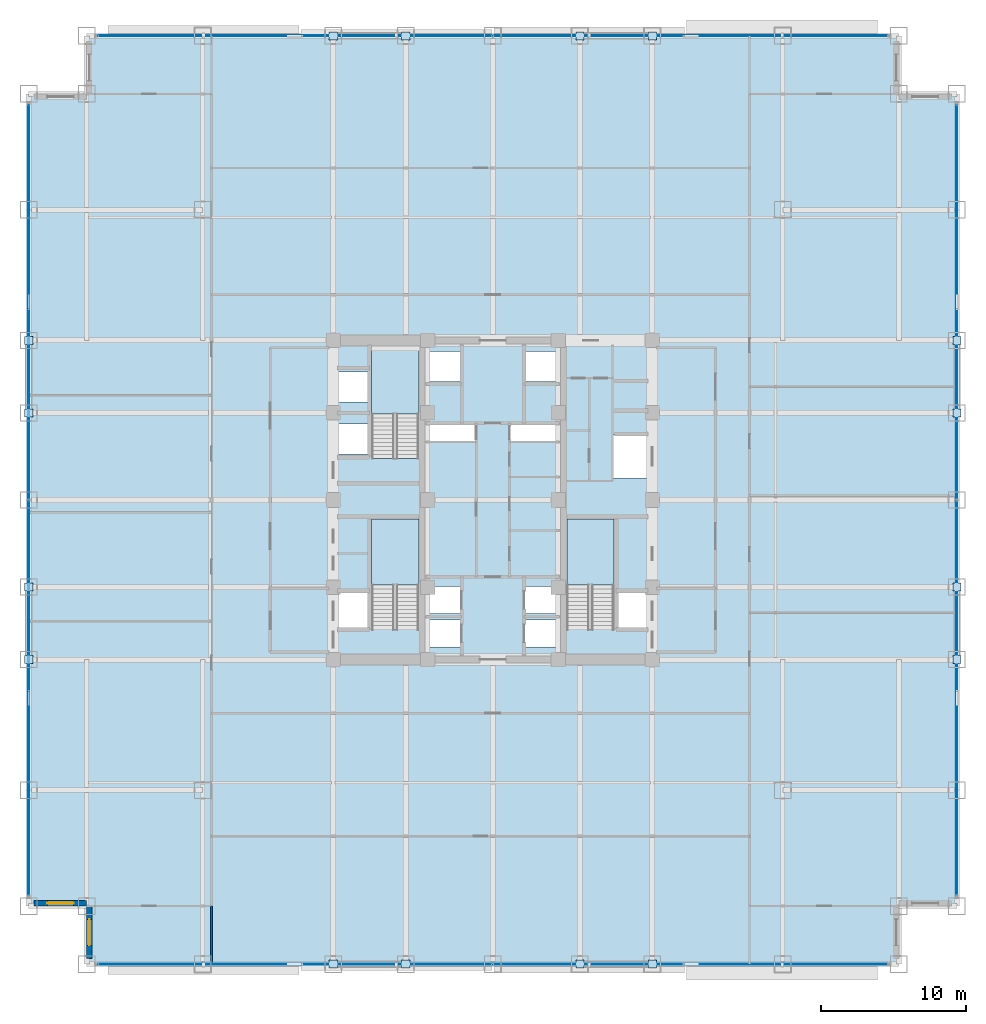
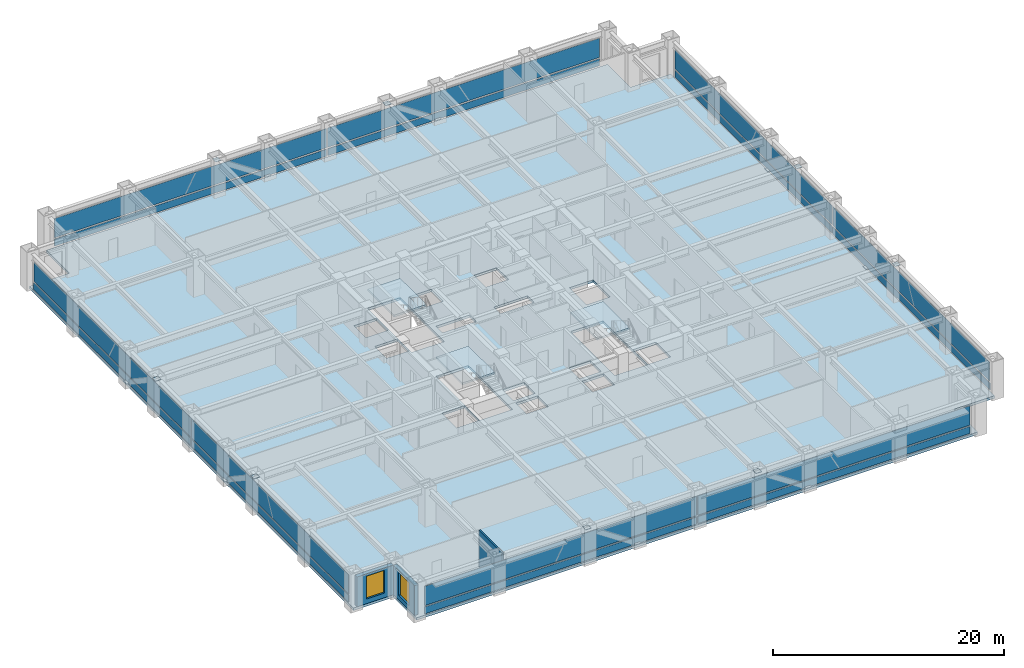
# One storey, part 22 of 32: 32 plates, 4 slabs, 3 walls, 2 windows, 2 openings, 7 elements without a shape of their own.
"""IFC4 building model written with IfcOpenShell, lengths in metres."""

from ifc_helpers import new_model, si_unit, direction, frame, frame_2d, origin, origin_2d, place, context, subcontext, project, spatial, polyline, rectangle, outline, extrude, source, transform, mapped, material, layer, layer_set, type_object, element, fill, aggregate, save


model = new_model("IFC4")

# Units and contexts
model_context = context("Model", 3, precision=1e-05, world=origin(), true_north=direction((0.0, 1.0)))
body_context = subcontext(model_context, "Body", "Model", "MODEL_VIEW")
ifc_project = project(units=[si_unit("LENGTHUNIT", "METRE"), si_unit("AREAUNIT", "SQUARE_METRE"), si_unit("VOLUMEUNIT", "CUBIC_METRE"), si_unit("PLANEANGLEUNIT", "RADIAN"), si_unit("MASSUNIT", "GRAM", prefix="KILO")], contexts=[model_context])

# Site, building, storey
site_placement = place(None, origin())
site = spatial("IfcSite", under=ifc_project, at=site_placement, CompositionType="ELEMENT")
building_placement = place(site_placement, origin())
building = spatial("IfcBuilding", under=site, at=building_placement, Name="Khorayat Bourse Tower", CompositionType="ELEMENT")
storey_placement = place(building_placement, frame((0.0, 0.0, 91.39990234375)))
storey = spatial("IfcBuildingStorey", under=building, at=storey_placement, Name="L20", CompositionType="ELEMENT", Elevation=91.39990234375)

# Stair, slab
ifc_material_1 = material(Name="Concrete C40/50", Category="concrete")
stair_type = type_object("IfcStairType", Name="STR-CORE-1550", PredefinedType="HALF_TURN_STAIR", material=ifc_material_1)
stair_1_placement = place(storey_placement, origin())
stair_1 = element("IfcStair", 1, at=stair_1_placement, inside=storey, type_object=stair_type, Name="L20 Exit Stair ST-1", PredefinedType="HALF_TURN_STAIR")
ifc_layer_1 = layer(ifc_material_1, 0.199951171875)
ifc_layer_set_1 = layer_set([ifc_layer_1], Name="Concrete C40/50")
slab_type_1 = type_object("IfcSlabType", Name="SLB-LANDING-200", PredefinedType="LANDING", material=ifc_layer_set_1)
slab_1_placement = place(storey_placement, frame((0.0, 0.0, 1.85009765625)))
slab_1 = element("IfcSlab", 2, at=slab_1_placement, type_object=slab_type_1, Name="ST-1 landing 1", PredefinedType="LANDING", context=body_context, shape_type="SweptSolid", body=[
    extrude(outline(polyline([(-5.10009765625, -5.8701171875), (-5.10009765625, -1.300048828125), (-8.35009765625, -1.300048828125), (-8.35009765625, -5.8701171875), (-5.10009765625, -5.8701171875)])), origin(), (0.0, 0.0, 1.0), 0.199951171875),
])
aggregate(stair_1, [slab_1])

stair_2_placement = place(storey_placement, origin())
stair_2 = element("IfcStair", 3, at=stair_2_placement, inside=storey, type_object=stair_type, Name="L20 Exit Stair ST-2", PredefinedType="HALF_TURN_STAIR")
slab_2_placement = place(storey_placement, frame((0.0, 0.0, 1.85009765625)))
slab_2 = element("IfcSlab", 4, at=slab_2_placement, type_object=slab_type_1, Name="ST-2 landing 1", PredefinedType="LANDING", context=body_context, shape_type="SweptSolid", body=[
    extrude(outline(polyline([(-5.10009765625, 5.929931640625), (-5.10009765625, 10.5), (-8.35009765625, 10.5), (-8.35009765625, 5.929931640625), (-5.10009765625, 5.929931640625)])), origin(), (0.0, 0.0, 1.0), 0.199951171875),
])
aggregate(stair_2, [slab_2])

stair_3_placement = place(storey_placement, origin())
stair_3 = element("IfcStair", 5, at=stair_3_placement, inside=storey, type_object=stair_type, Name="L20 Exit Stair ST-3", PredefinedType="HALF_TURN_STAIR")
slab_3_placement = place(storey_placement, frame((0.0, 0.0, 1.85009765625)))
slab_3 = element("IfcSlab", 6, at=slab_3_placement, type_object=slab_type_1, Name="ST-3 landing 1", PredefinedType="LANDING", context=body_context, shape_type="SweptSolid", body=[
    extrude(outline(polyline([(8.35009765625, -5.8701171875), (8.35009765625, -1.300048828125), (5.10009765625, -1.300048828125), (5.10009765625, -5.8701171875), (8.35009765625, -5.8701171875)])), origin(), (0.0, 0.0, 1.0), 0.199951171875),
])
aggregate(stair_3, [slab_3])

# Slab
ifc_layer_2 = layer(ifc_material_1, 0.260009765625)
ifc_layer_set_2 = layer_set([ifc_layer_2], Name="Concrete C40/50")
slab_type_2 = type_object("IfcSlabType", Name="SLB-TRADE-260", PredefinedType="FLOOR", material=ifc_layer_set_2)
slab_4_placement = place(storey_placement, frame((0.0, 0.0, -0.260009765625)))
element("IfcSlab", 7, at=slab_4_placement, inside=storey, type_object=slab_type_2, Name="L20 Main Floor Slab", PredefinedType="FLOOR", context=body_context, shape_type="SweptSolid", body=[
    extrude(outline(polyline([(-28.0, -32.0), (28.0, -32.0), (28.0, -28.0), (32.0, -28.0), (32.0, 28.0), (28.0, 28.0), (28.0, 32.0), (-28.0, 32.0), (-28.0, 28.0), (-32.0, 28.0), (-32.0, -28.0), (-28.0, -28.0), (-28.0, -32.0)]), holes=[polyline([(-8.35009765625, -8.945068359375), (-5.10009765625, -8.945068359375), (-5.10009765625, -1.300048828125), (-8.35009765625, -1.300048828125), (-8.35009765625, -8.945068359375)]), polyline([(-8.35009765625, 2.85498046875), (-5.10009765625, 2.85498046875), (-5.10009765625, 10.5), (-8.35009765625, 10.5), (-8.35009765625, 2.85498046875)]), polyline([(5.10009765625, -8.945068359375), (8.35009765625, -8.945068359375), (8.35009765625, -1.300048828125), (5.10009765625, -1.300048828125), (5.10009765625, -8.945068359375)]), polyline([(-4.3798828125, -10.1298828125), (-2.219970703125, -10.1298828125), (-2.219970703125, -8.27001953125), (-4.3798828125, -8.27001953125), (-4.3798828125, -10.1298828125)]), polyline([(2.219970703125, -10.1298828125), (4.3798828125, -10.1298828125), (4.3798828125, -8.27001953125), (2.219970703125, -8.27001953125), (2.219970703125, -10.1298828125)]), polyline([(-4.3798828125, -7.830078125), (-2.219970703125, -7.830078125), (-2.219970703125, -5.969970703125), (-4.3798828125, -5.969970703125), (-4.3798828125, -7.830078125)]), polyline([(2.219970703125, -7.830078125), (4.3798828125, -7.830078125), (4.3798828125, -5.969970703125), (2.219970703125, -5.969970703125), (2.219970703125, -7.830078125)]), polyline([(-4.3798828125, 8.169921875), (-2.1201171875, 8.169921875), (-2.1201171875, 10.22998046875), (-4.3798828125, 10.22998046875), (-4.3798828125, 8.169921875)]), polyline([(2.1201171875, 8.169921875), (4.3798828125, 8.169921875), (4.3798828125, 10.22998046875), (2.1201171875, 10.22998046875), (2.1201171875, 8.169921875)]), polyline([(-10.679931640625, 3.169921875), (-8.419921875, 3.169921875), (-8.419921875, 5.22998046875), (-10.679931640625, 5.22998046875), (-10.679931640625, 3.169921875)]), polyline([(-10.679931640625, 6.77001953125), (-8.419921875, 6.77001953125), (-8.419921875, 8.830078125), (-10.679931640625, 8.830078125), (-10.679931640625, 6.77001953125)]), polyline([(-10.679931640625, -8.929931640625), (-8.419921875, -8.929931640625), (-8.419921875, -6.3701171875), (-10.679931640625, -6.3701171875), (-10.679931640625, -8.929931640625)]), polyline([(8.419921875, -8.929931640625), (10.679931640625, -8.929931640625), (10.679931640625, -6.3701171875), (8.419921875, -6.3701171875), (8.419921875, -8.929931640625)]), polyline([(8.320068359375, 1.52001953125), (10.679931640625, 1.52001953125), (10.679931640625, 4.47998046875), (8.320068359375, 4.47998046875), (8.320068359375, 1.52001953125)]), polyline([(-4.56005859375, 4.080078125), (-1.18994140625, 4.080078125), (-1.18994140625, 5.219970703125), (-4.56005859375, 5.219970703125), (-4.56005859375, 4.080078125)]), polyline([(1.18994140625, 4.080078125), (4.56005859375, 4.080078125), (4.56005859375, 5.219970703125), (1.18994140625, 5.219970703125), (1.18994140625, 4.080078125)])]), origin(), (0.0, 0.0, 1.0), 0.260009765625),
])

# Plates
ifc_material_2 = material(Name="Steel EN 10025-2 S355J2", Category="steel")
ifc_layer_3 = layer(ifc_material_2, 0.02490234375)
ifc_layer_set_3 = layer_set([ifc_layer_3], Name="Steel EN 10025-2 S355J2")
plate_type_1 = type_object("IfcPlateType", Name="PLT-ENDCAP-25", PredefinedType="SHEET", material=ifc_layer_set_3)
shared_shape_1 = source(origin(), body_context, "Body", "SweptSolid", [
    extrude(rectangle(XDim=0.56005859375, YDim=0.56005859375, at=origin_2d()), origin(), (0.0, 0.0, 1.0), 0.02490234375),
])
for number, where, z_axis, x_axis, name in (
    (8, (-11.0, -32.0, 3.57763671875), (0.0, 0.0, 1.0), (1.0, 0.0, 0.0), "L20 Perimeter Brace End Plate 001"),
    (9, (-6.0, -32.0, 0.237548828125), (0.0, 0.0, 1.0), (1.0, 0.0, 0.0), "L20 Perimeter Brace End Plate 002"),
    (10, (6.0, -32.0, 3.57763671875), (0.0, 0.0, 1.0), (1.0, 0.0, 0.0), "L20 Perimeter Brace End Plate 003"),
    (11, (11.0, -32.0, 0.237548828125), (0.0, 0.0, 1.0), (1.0, 0.0, 0.0), "L20 Perimeter Brace End Plate 004"),
    (12, (-11.0, 32.0, 3.57763671875), (0.0, 0.0, 1.0), (1.0, 0.0, 0.0), "L20 Perimeter Brace End Plate 005"),
    (13, (-6.0, 32.0, 0.237548828125), (0.0, 0.0, 1.0), (1.0, 0.0, 0.0), "L20 Perimeter Brace End Plate 006"),
    (14, (6.0, 32.0, 3.57763671875), (0.0, 0.0, 1.0), (1.0, 0.0, 0.0), "L20 Perimeter Brace End Plate 007"),
    (15, (11.0, 32.0, 0.237548828125), (0.0, 0.0, 1.0), (1.0, 0.0, 0.0), "L20 Perimeter Brace End Plate 008"),
    (16, (-32.0, -11.0, 3.57763671875), (0.0, 0.0, 1.0), (1.0, 0.0, 0.0), "L20 Perimeter Brace End Plate 009"),
    (17, (-32.0, -6.0, 0.237548828125), (0.0, 0.0, 1.0), (1.0, 0.0, 0.0), "L20 Perimeter Brace End Plate 010"),
    (18, (-32.0, 6.0, 3.57763671875), (0.0, 0.0, 1.0), (1.0, 0.0, 0.0), "L20 Perimeter Brace End Plate 011"),
    (19, (-32.0, 11.0, 0.237548828125), (0.0, 0.0, 1.0), (1.0, 0.0, 0.0), "L20 Perimeter Brace End Plate 012"),
    (20, (32.0, -11.0, 3.57763671875), (0.0, 0.0, 1.0), (1.0, 0.0, 0.0), "L20 Perimeter Brace End Plate 013"),
    (21, (32.0, -6.0, 0.237548828125), (0.0, 0.0, 1.0), (1.0, 0.0, 0.0), "L20 Perimeter Brace End Plate 014"),
    (22, (32.0, 6.0, 3.57763671875), (0.0, 0.0, 1.0), (1.0, 0.0, 0.0), "L20 Perimeter Brace End Plate 015"),
    (23, (32.0, 11.0, 0.237548828125), (0.0, 0.0, 1.0), (1.0, 0.0, 0.0), "L20 Perimeter Brace End Plate 016"),
):
    element("IfcPlate", number, at=place(storey_placement, frame(where, z_axis=z_axis, x_axis=x_axis)), inside=storey, type_object=plate_type_1, Name=name, PredefinedType="SHEET", context=body_context, shape_type="MappedRepresentation", body=[
        mapped(shared_shape_1, transform((0.0, 0.0, 0.0), scale=1.0)),
    ])

# Curtain wall, plates
ifc_material_3 = material(Name="Aluminium EN AW-6063 T6", Category="aluminium")
curtain_wall_type = type_object("IfcCurtainWallType", Name="CW-SYS-02", PredefinedType="NOTDEFINED", material=ifc_material_3)
curtain_wall_1_placement = place(storey_placement, origin())
curtain_wall_1 = element("IfcCurtainWall", 24, at=curtain_wall_1_placement, inside=storey, type_object=curtain_wall_type, Name="L20 Curtain Wall CW-L20-S1", PredefinedType="NOTDEFINED")
ifc_material_4 = material(Name="Honed desert limestone insulated spandrel", Category="masonry")
ifc_layer_4 = layer(ifc_material_4, 0.06494140625)
ifc_layer_set_4 = layer_set([ifc_layer_4], Name="Honed desert limestone insulated spandrel")
plate_type_2 = type_object("IfcPlateType", Name="CWP-SPAND-03", PredefinedType="CURTAIN_PANEL", material=ifc_layer_set_4)
shared_shape_2 = source(origin(), body_context, "Body", "SweptSolid", [
    extrude(rectangle(XDim=27.139892578125, YDim=0.06494140625, at=origin_2d()), origin(), (0.0, 0.0, 1.0), 0.739990234375),
])
plate_1_placement = place(storey_placement, frame((-13.639892578125, -32.0, 0.14013671875), z_axis=(0.0, 0.0, 1.0), x_axis=(1.0, 0.0, 0.0)))
plate_1 = element("IfcPlate", 25, at=plate_1_placement, type_object=plate_type_2, Name="CW-L20-S1 Spandrel Panel 1-1", PredefinedType="CURTAIN_PANEL", context=body_context, shape_type="MappedRepresentation", body=[
    mapped(shared_shape_2, transform((0.0, 0.0, 0.0), scale=1.0)),
])
plate_2_placement = place(storey_placement, frame((13.639892578125, -32.0, 0.14013671875), z_axis=(0.0, 0.0, 1.0), x_axis=(1.0, 0.0, 0.0)))
plate_2 = element("IfcPlate", 26, at=plate_2_placement, type_object=plate_type_2, Name="CW-L20-S1 Spandrel Panel 2-1", PredefinedType="CURTAIN_PANEL", context=body_context, shape_type="MappedRepresentation", body=[
    mapped(shared_shape_2, transform((0.0, 0.0, 0.0), scale=1.0)),
])

curtain_wall_2_placement = place(storey_placement, origin())
curtain_wall_2 = element("IfcCurtainWall", 27, at=curtain_wall_2_placement, inside=storey, type_object=curtain_wall_type, Name="L20 Curtain Wall CW-L20-N1", PredefinedType="NOTDEFINED")
plate_3_placement = place(storey_placement, frame((-13.639892578125, 32.0, 0.14013671875), z_axis=(0.0, 0.0, 1.0), x_axis=(1.0, 0.0, 0.0)))
plate_3 = element("IfcPlate", 28, at=plate_3_placement, type_object=plate_type_2, Name="CW-L20-N1 Spandrel Panel 1-1", PredefinedType="CURTAIN_PANEL", context=body_context, shape_type="MappedRepresentation", body=[
    mapped(shared_shape_2, transform((0.0, 0.0, 0.0), scale=1.0)),
])
plate_4_placement = place(storey_placement, frame((13.639892578125, 32.0, 0.14013671875), z_axis=(0.0, 0.0, 1.0), x_axis=(1.0, 0.0, 0.0)))
plate_4 = element("IfcPlate", 29, at=plate_4_placement, type_object=plate_type_2, Name="CW-L20-N1 Spandrel Panel 2-1", PredefinedType="CURTAIN_PANEL", context=body_context, shape_type="MappedRepresentation", body=[
    mapped(shared_shape_2, transform((0.0, 0.0, 0.0), scale=1.0)),
])

curtain_wall_3_placement = place(storey_placement, origin())
curtain_wall_3 = element("IfcCurtainWall", 30, at=curtain_wall_3_placement, inside=storey, type_object=curtain_wall_type, Name="L20 Curtain Wall CW-L20-W1", PredefinedType="NOTDEFINED")
plate_5_placement = place(storey_placement, frame((-32.0, -13.639892578125, 0.14013671875), z_axis=(0.0, 0.0, 1.0), x_axis=(0.0, 1.0, 0.0)))
plate_5 = element("IfcPlate", 31, at=plate_5_placement, type_object=plate_type_2, Name="CW-L20-W1 Spandrel Panel 1-1", PredefinedType="CURTAIN_PANEL", context=body_context, shape_type="MappedRepresentation", body=[
    mapped(shared_shape_2, transform((0.0, 0.0, 0.0), scale=1.0)),
])
plate_6_placement = place(storey_placement, frame((-32.0, 13.639892578125, 0.14013671875), z_axis=(0.0, 0.0, 1.0), x_axis=(0.0, 1.0, 0.0)))
plate_6 = element("IfcPlate", 32, at=plate_6_placement, type_object=plate_type_2, Name="CW-L20-W1 Spandrel Panel 2-1", PredefinedType="CURTAIN_PANEL", context=body_context, shape_type="MappedRepresentation", body=[
    mapped(shared_shape_2, transform((0.0, 0.0, 0.0), scale=1.0)),
])

curtain_wall_4_placement = place(storey_placement, origin())
curtain_wall_4 = element("IfcCurtainWall", 33, at=curtain_wall_4_placement, inside=storey, type_object=curtain_wall_type, Name="L20 Curtain Wall CW-L20-E1", PredefinedType="NOTDEFINED")
plate_7_placement = place(storey_placement, frame((32.0, -13.639892578125, 0.14013671875), z_axis=(0.0, 0.0, 1.0), x_axis=(0.0, 1.0, 0.0)))
plate_7 = element("IfcPlate", 34, at=plate_7_placement, type_object=plate_type_2, Name="CW-L20-E1 Spandrel Panel 1-1", PredefinedType="CURTAIN_PANEL", context=body_context, shape_type="MappedRepresentation", body=[
    mapped(shared_shape_2, transform((0.0, 0.0, 0.0), scale=1.0)),
])
plate_8_placement = place(storey_placement, frame((32.0, 13.639892578125, 0.14013671875), z_axis=(0.0, 0.0, 1.0), x_axis=(0.0, 1.0, 0.0)))
plate_8 = element("IfcPlate", 35, at=plate_8_placement, type_object=plate_type_2, Name="CW-L20-E1 Spandrel Panel 2-1", PredefinedType="CURTAIN_PANEL", context=body_context, shape_type="MappedRepresentation", body=[
    mapped(shared_shape_2, transform((0.0, 0.0, 0.0), scale=1.0)),
])

# Plate
ifc_material_5 = material(Name="Low-E solar-control laminated double glazing", Category="glass")
ifc_layer_5 = layer(ifc_material_5, 0.0419921875)
ifc_layer_set_5 = layer_set([ifc_layer_5], Name="Low-E solar-control laminated double glazing")
plate_type_3 = type_object("IfcPlateType", Name="CWP-FACET-02", PredefinedType="CURTAIN_PANEL", material=ifc_layer_set_5)
shared_shape_3 = source(origin(), body_context, "Body", "SweptSolid", [
    extrude(rectangle(XDim=27.139892578125, YDim=0.0419921875, at=origin_2d()), origin(), (0.0, 0.0, 1.0), 2.030029296875),
])
plate_9_placement = place(storey_placement, frame((-13.639892578125, -32.0, 1.02001953125), z_axis=(0.0, 0.0, 1.0), x_axis=(1.0, 0.0, 0.0)))
plate_9 = element("IfcPlate", 36, at=plate_9_placement, type_object=plate_type_3, Name="CW-L20-S1 Vision Panel 1-2", PredefinedType="CURTAIN_PANEL", context=body_context, shape_type="MappedRepresentation", body=[
    mapped(shared_shape_3, transform((0.0, 0.0, 0.0), scale=1.0)),
])

plate_10_placement = place(storey_placement, frame((13.639892578125, -32.0, 1.02001953125), z_axis=(0.0, 0.0, 1.0), x_axis=(1.0, 0.0, 0.0)))
plate_10 = element("IfcPlate", 37, at=plate_10_placement, type_object=plate_type_3, Name="CW-L20-S1 Vision Panel 2-2", PredefinedType="CURTAIN_PANEL", context=body_context, shape_type="MappedRepresentation", body=[
    mapped(shared_shape_3, transform((0.0, 0.0, 0.0), scale=1.0)),
])

aggregate(curtain_wall_1, [plate_1, plate_9, plate_2, plate_10])

plate_11_placement = place(storey_placement, frame((-13.639892578125, 32.0, 1.02001953125), z_axis=(0.0, 0.0, 1.0), x_axis=(1.0, 0.0, 0.0)))
plate_11 = element("IfcPlate", 38, at=plate_11_placement, type_object=plate_type_3, Name="CW-L20-N1 Vision Panel 1-2", PredefinedType="CURTAIN_PANEL", context=body_context, shape_type="MappedRepresentation", body=[
    mapped(shared_shape_3, transform((0.0, 0.0, 0.0), scale=1.0)),
])

plate_12_placement = place(storey_placement, frame((13.639892578125, 32.0, 1.02001953125), z_axis=(0.0, 0.0, 1.0), x_axis=(1.0, 0.0, 0.0)))
plate_12 = element("IfcPlate", 39, at=plate_12_placement, type_object=plate_type_3, Name="CW-L20-N1 Vision Panel 2-2", PredefinedType="CURTAIN_PANEL", context=body_context, shape_type="MappedRepresentation", body=[
    mapped(shared_shape_3, transform((0.0, 0.0, 0.0), scale=1.0)),
])

aggregate(curtain_wall_2, [plate_3, plate_11, plate_4, plate_12])

plate_13_placement = place(storey_placement, frame((-32.0, -13.639892578125, 1.02001953125), z_axis=(0.0, 0.0, 1.0), x_axis=(0.0, 1.0, 0.0)))
plate_13 = element("IfcPlate", 40, at=plate_13_placement, type_object=plate_type_3, Name="CW-L20-W1 Vision Panel 1-2", PredefinedType="CURTAIN_PANEL", context=body_context, shape_type="MappedRepresentation", body=[
    mapped(shared_shape_3, transform((0.0, 0.0, 0.0), scale=1.0)),
])

plate_14_placement = place(storey_placement, frame((-32.0, 13.639892578125, 1.02001953125), z_axis=(0.0, 0.0, 1.0), x_axis=(0.0, 1.0, 0.0)))
plate_14 = element("IfcPlate", 41, at=plate_14_placement, type_object=plate_type_3, Name="CW-L20-W1 Vision Panel 2-2", PredefinedType="CURTAIN_PANEL", context=body_context, shape_type="MappedRepresentation", body=[
    mapped(shared_shape_3, transform((0.0, 0.0, 0.0), scale=1.0)),
])

aggregate(curtain_wall_3, [plate_5, plate_13, plate_6, plate_14])

plate_15_placement = place(storey_placement, frame((32.0, -13.639892578125, 1.02001953125), z_axis=(0.0, 0.0, 1.0), x_axis=(0.0, 1.0, 0.0)))
plate_15 = element("IfcPlate", 42, at=plate_15_placement, type_object=plate_type_3, Name="CW-L20-E1 Vision Panel 1-2", PredefinedType="CURTAIN_PANEL", context=body_context, shape_type="MappedRepresentation", body=[
    mapped(shared_shape_3, transform((0.0, 0.0, 0.0), scale=1.0)),
])

plate_16_placement = place(storey_placement, frame((32.0, 13.639892578125, 1.02001953125), z_axis=(0.0, 0.0, 1.0), x_axis=(0.0, 1.0, 0.0)))
plate_16 = element("IfcPlate", 43, at=plate_16_placement, type_object=plate_type_3, Name="CW-L20-E1 Vision Panel 2-2", PredefinedType="CURTAIN_PANEL", context=body_context, shape_type="MappedRepresentation", body=[
    mapped(shared_shape_3, transform((0.0, 0.0, 0.0), scale=1.0)),
])

aggregate(curtain_wall_4, [plate_7, plate_15, plate_8, plate_16])

# Wall, opening, window
ifc_material_6 = material(Name="Precast concrete C45/55", Category="concrete")
ifc_layer_6 = layer(ifc_material_6, 0.3798828125)
ifc_layer_set_6 = layer_set([ifc_layer_6], Name="Precast concrete C45/55")
wall_type_1 = type_object("IfcWallType", Name="WAL-EXT-STONE-380", PredefinedType="STANDARD", material=ifc_layer_set_6)
shared_shape_4 = source(origin(), body_context, "Body", "SweptSolid", [
    extrude(rectangle(XDim=3.6201171875, YDim=0.3798828125, at=frame_2d((1.81005859375, 0.0))), origin(), (0.0, 0.0, 1.0), 3.14501953125),
])
wall_1_placement = place(storey_placement, frame((-28.0, -27.81005859375, 0.0), z_axis=(0.0, 0.0, 1.0), x_axis=(-1.0, 0.0, 0.0)))
wall_1 = element("IfcWall", 44, at=wall_1_placement, inside=storey, type_object=wall_type_1, Name="L20 Re-Entrant Notch Limestone Wall SW-H", PredefinedType="STANDARD", context=body_context, shape_type="MappedRepresentation", body=[
    mapped(shared_shape_4, transform((0.0, 0.0, 0.0), scale=1.0)),
])
shared_shape_5 = source(origin(), body_context, "Body", "SweptSolid", [
    extrude(rectangle(XDim=1.800048828125, YDim=2.39990234375, at=frame_2d((0.89990234375, 1.199951171875))), frame((0.0, 0.199951171875, 0.0), z_axis=(0.0, -1.0, 0.0), x_axis=(1.0, 0.0, 0.0)), (0.0, 0.0, 1.0), 0.39990234375),
])
opening_1_placement = place(wall_1_placement, frame((0.909912109375, 0.0, 0.5)))
opening_1 = element("IfcOpeningElement", 45, at=opening_1_placement, cuts=wall_1, Name="Opening WN-04", PredefinedType="OPENING", context=body_context, shape_type="MappedRepresentation", body=[
    mapped(shared_shape_5, transform((0.0, 0.0, 0.0), scale=1.0)),
])
ifc_material_7 = material(Name="Low-E acoustic laminated double glazing", Category="glass")
window_type = type_object("IfcWindowType", Name="WIN-NOTCH-1800x2400", PartitioningType="SINGLE_PANEL", PredefinedType="WINDOW", material=ifc_material_7)
shared_shape_6 = source(origin(), body_context, "Body", "SweptSolid", [
    extrude(rectangle(XDim=1.800048828125, YDim=2.39990234375, at=frame_2d((0.89990234375, 1.199951171875))), frame((0.0, 0.030029296875, 0.0), z_axis=(0.0, -1.0, 0.0), x_axis=(1.0, 0.0, 0.0)), (0.0, 0.0, 1.0), 0.06005859375),
])
window_1_placement = place(opening_1_placement, origin())
window_1 = element("IfcWindow", 46, at=window_1_placement, inside=storey, type_object=window_type, Name="L20 Facade Window 1", OverallHeight=2.39990234375, OverallWidth=1.800048828125, PartitioningType="SINGLE_PANEL", PredefinedType="WINDOW", context=body_context, shape_type="MappedRepresentation", body=[
    mapped(shared_shape_6, transform((0.0, 0.0, 0.0), scale=1.0)),
])
fill(opening_1, window_1)

wall_2_placement = place(storey_placement, frame((-27.81005859375, -31.6201171875, 0.0), z_axis=(0.0, 0.0, 1.0), x_axis=(0.0, 1.0, 0.0)))
wall_2 = element("IfcWall", 47, at=wall_2_placement, inside=storey, type_object=wall_type_1, Name="L20 Re-Entrant Notch Limestone Wall SW-V", PredefinedType="STANDARD", context=body_context, shape_type="MappedRepresentation", body=[
    mapped(shared_shape_4, transform((0.0, 0.0, 0.0), scale=1.0)),
])
opening_2_placement = place(wall_2_placement, frame((0.909912109375, 0.0, 0.5)))
opening_2 = element("IfcOpeningElement", 48, at=opening_2_placement, cuts=wall_2, Name="Opening WN-04", PredefinedType="OPENING", context=body_context, shape_type="MappedRepresentation", body=[
    mapped(shared_shape_5, transform((0.0, 0.0, 0.0), scale=1.0)),
])
window_2_placement = place(opening_2_placement, origin())
window_2 = element("IfcWindow", 49, at=window_2_placement, inside=storey, type_object=window_type, Name="L20 Facade Window 1", OverallHeight=2.39990234375, OverallWidth=1.800048828125, PartitioningType="SINGLE_PANEL", PredefinedType="WINDOW", context=body_context, shape_type="MappedRepresentation", body=[
    mapped(shared_shape_6, transform((0.0, 0.0, 0.0), scale=1.0)),
])
fill(opening_2, window_2)

# Wall
ifc_material_8 = material(Name="Gypsum plasterboard twin-frame partition")
ifc_layer_7 = layer(ifc_material_8, 0.14990234375)
ifc_layer_set_7 = layer_set([ifc_layer_7], Name="Gypsum plasterboard twin-frame partition")
wall_type_2 = type_object("IfcWallType", Name="WAL-PART-SUITE-150", PredefinedType="PARTITIONING", material=ifc_layer_set_7)
shared_shape_7 = source(origin(), body_context, "Body", "SweptSolid", [
    extrude(rectangle(XDim=4.0, YDim=0.14990234375, at=frame_2d((2.0, 0.0))), origin(), (0.0, 0.0, 1.0), 3.840087890625),
])
wall_3_placement = place(storey_placement, frame((-19.39990234375, -32.0, 0.0), z_axis=(0.0, 0.0, 1.0), x_axis=(0.0, 1.0, 0.0)))
element("IfcWall", 50, at=wall_3_placement, inside=storey, type_object=wall_type_2, Name="L20 Partition WAL-L20-SCW-END", PredefinedType="PARTITIONING", context=body_context, shape_type="MappedRepresentation", body=[
    mapped(shared_shape_7, transform((0.0, 0.0, 0.0), scale=1.0)),
])

save(model, "model.ifc")
